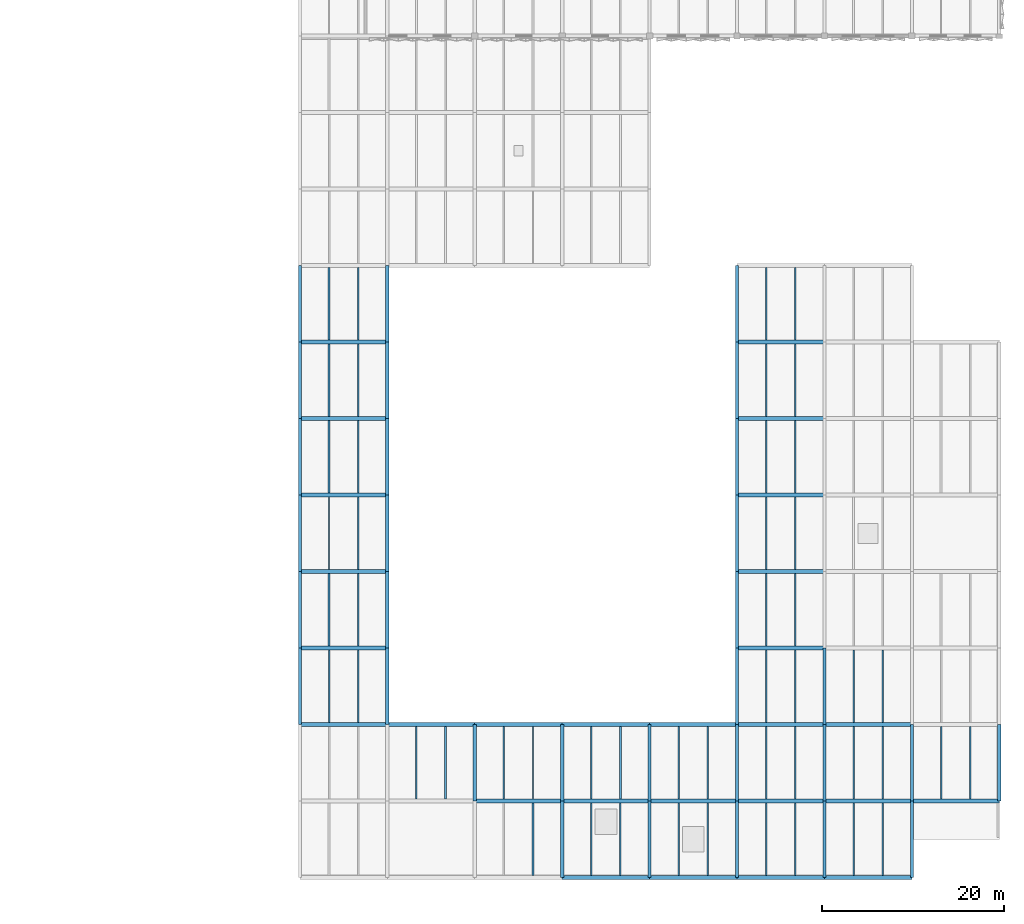
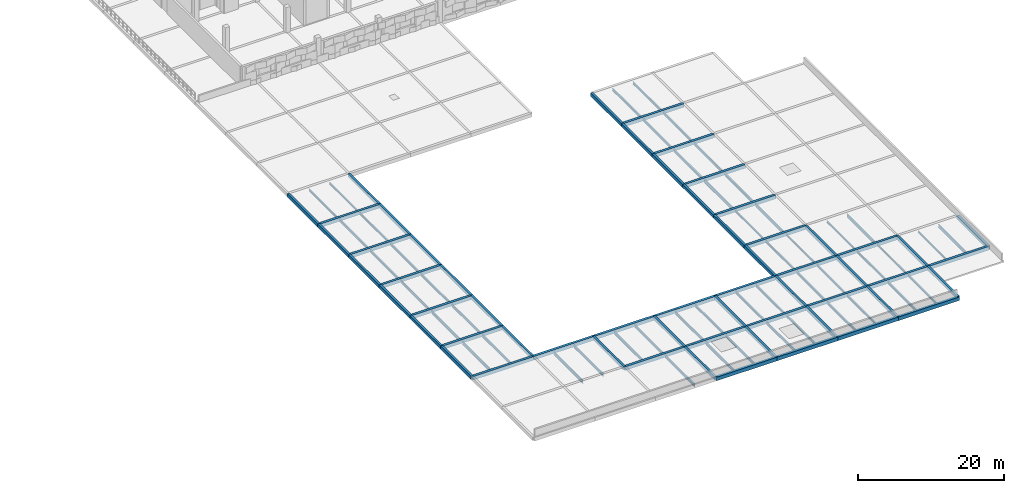
# One storey, part 4 of 24: 107 beams.
"""IFC4 building model written with IfcOpenShell, lengths in metres."""

from ifc_helpers import new_model, si_unit, direction, frame, origin, origin_2d, place, context, subcontext, project, spatial, rectangle, i_section, extrude, material, material_profile, profile_set, type_object, element, save


model = new_model("IFC4")

# Units and contexts
model_context = context("Model", 3, precision=1e-05, world=origin(), true_north=direction((0.0, 1.0)))
body_context = subcontext(model_context, "Body", "Model", "MODEL_VIEW")
ifc_project = project(units=[si_unit("LENGTHUNIT", "METRE"), si_unit("AREAUNIT", "SQUARE_METRE"), si_unit("VOLUMEUNIT", "CUBIC_METRE"), si_unit("PLANEANGLEUNIT", "RADIAN"), si_unit("MASSUNIT", "GRAM", prefix="KILO")], contexts=[model_context])

# Site, building, storey
site_placement = place(None, origin())
site = spatial("IfcSite", under=ifc_project, at=site_placement, CompositionType="ELEMENT")
building_placement = place(site_placement, origin())
building = spatial("IfcBuilding", under=site, at=building_placement, Name="Oolite Switchyard Hospital", CompositionType="ELEMENT")
storey_placement = place(building_placement, frame((0.0, 0.0, 22.0)))
storey = spatial("IfcBuildingStorey", under=building, at=storey_placement, Name="L05", CompositionType="ELEMENT", Elevation=22.0)

# Beams
ifc_material_1 = material(Name="Concrete C40/50", Category="concrete")
ifc_material_profile_1 = material_profile(ifc_material_1, rectangle(XDim=0.35009765625, YDim=0.550048828125, at=origin_2d()), Name="RCB350X550")
ifc_profile_set_1 = profile_set([ifc_material_profile_1], Name="Concrete C40/50")
beam_type_1 = type_object("IfcBeamType", Name="BM-RC350X550", PredefinedType="BEAM", material=ifc_profile_set_1)
beam_1_placement = place(storey_placement, frame((134.39990234375, 25.199951171875, -0.27490234375), z_axis=(0.0, 1.0, 0.0), x_axis=(-1.0, 0.0, 0.0)))
element("IfcBeam", 1, at=beam_1_placement, inside=storey, type_object=beam_type_1, Name="L05 Y-Girder 3470", PredefinedType="BEAM", context=body_context, shape_type="SweptSolid", body=[
    extrude(rectangle(XDim=0.35009765625, YDim=0.550048828125, at=origin_2d()), origin(), (0.0, 0.0, 1.0), 8.400146484375),
])
for number, where, z_axis, x_axis, name in (
    (2, (134.39990234375, 33.60009765625, -0.27490234375), (0.0, 1.0, 0.0), (-1.0, 0.0, 0.0), "L05 Y-Girder 3471"),
    (3, (134.39990234375, 42.0, -0.27490234375), (0.0, 1.0, 0.0), (-1.0, 0.0, 0.0), "L05 Y-Girder 3472"),
):
    element("IfcBeam", number, at=place(storey_placement, frame(where, z_axis=z_axis, x_axis=x_axis)), inside=storey, type_object=beam_type_1, Name=name, PredefinedType="BEAM", context=body_context, shape_type="SweptSolid", body=[
        extrude(rectangle(XDim=0.35009765625, YDim=0.550048828125, at=origin_2d()), origin(), (0.0, 0.0, 1.0), 8.39990234375),
    ])
beam_2_placement = place(storey_placement, frame((134.39990234375, 50.39990234375, -0.27490234375), z_axis=(0.0, 1.0, 0.0), x_axis=(-1.0, 0.0, 0.0)))
element("IfcBeam", 4, at=beam_2_placement, inside=storey, type_object=beam_type_1, Name="L05 Y-Girder 3473", PredefinedType="BEAM", context=body_context, shape_type="SweptSolid", body=[
    extrude(rectangle(XDim=0.35009765625, YDim=0.550048828125, at=origin_2d()), origin(), (0.0, 0.0, 1.0), 8.400146484375),
])
beam_3_placement = place(storey_placement, frame((134.39990234375, 58.800048828125, -0.27490234375), z_axis=(0.0, 1.0, 0.0), x_axis=(-1.0, 0.0, 0.0)))
element("IfcBeam", 5, at=beam_3_placement, inside=storey, type_object=beam_type_1, Name="L05 Y-Girder 3474", PredefinedType="BEAM", context=body_context, shape_type="SweptSolid", body=[
    extrude(rectangle(XDim=0.35009765625, YDim=0.550048828125, at=origin_2d()), origin(), (0.0, 0.0, 1.0), 8.39990234375),
])
for number, where, z_axis, x_axis, name in (
    (6, (134.39990234375, 67.199951171875, -0.27490234375), (0.0, 1.0, 0.0), (-1.0, 0.0, 0.0), "L05 Y-Girder 3475"),
    (7, (144.0, 25.199951171875, -0.27490234375), (0.0, 1.0, 0.0), (-1.0, 0.0, 0.0), "L05 Y-Girder 3485"),
):
    element("IfcBeam", number, at=place(storey_placement, frame(where, z_axis=z_axis, x_axis=x_axis)), inside=storey, type_object=beam_type_1, Name=name, PredefinedType="BEAM", context=body_context, shape_type="SweptSolid", body=[
        extrude(rectangle(XDim=0.35009765625, YDim=0.550048828125, at=origin_2d()), origin(), (0.0, 0.0, 1.0), 8.400146484375),
    ])
for number, where, z_axis, x_axis, name in (
    (8, (144.0, 33.60009765625, -0.27490234375), (0.0, 1.0, 0.0), (-1.0, 0.0, 0.0), "L05 Y-Girder 3486"),
    (9, (144.0, 42.0, -0.27490234375), (0.0, 1.0, 0.0), (-1.0, 0.0, 0.0), "L05 Y-Girder 3487"),
):
    element("IfcBeam", number, at=place(storey_placement, frame(where, z_axis=z_axis, x_axis=x_axis)), inside=storey, type_object=beam_type_1, Name=name, PredefinedType="BEAM", context=body_context, shape_type="SweptSolid", body=[
        extrude(rectangle(XDim=0.35009765625, YDim=0.550048828125, at=origin_2d()), origin(), (0.0, 0.0, 1.0), 8.39990234375),
    ])
beam_4_placement = place(storey_placement, frame((144.0, 50.39990234375, -0.27490234375), z_axis=(0.0, 1.0, 0.0), x_axis=(-1.0, 0.0, 0.0)))
element("IfcBeam", 10, at=beam_4_placement, inside=storey, type_object=beam_type_1, Name="L05 Y-Girder 3488", PredefinedType="BEAM", context=body_context, shape_type="SweptSolid", body=[
    extrude(rectangle(XDim=0.35009765625, YDim=0.550048828125, at=origin_2d()), origin(), (0.0, 0.0, 1.0), 8.400146484375),
])
beam_5_placement = place(storey_placement, frame((144.0, 58.800048828125, -0.27490234375), z_axis=(0.0, 1.0, 0.0), x_axis=(-1.0, 0.0, 0.0)))
element("IfcBeam", 11, at=beam_5_placement, inside=storey, type_object=beam_type_1, Name="L05 Y-Girder 3489", PredefinedType="BEAM", context=body_context, shape_type="SweptSolid", body=[
    extrude(rectangle(XDim=0.35009765625, YDim=0.550048828125, at=origin_2d()), origin(), (0.0, 0.0, 1.0), 8.39990234375),
])
beam_6_placement = place(storey_placement, frame((144.0, 67.199951171875, -0.27490234375), z_axis=(0.0, 1.0, 0.0), x_axis=(-1.0, 0.0, 0.0)))
element("IfcBeam", 12, at=beam_6_placement, inside=storey, type_object=beam_type_1, Name="L05 Y-Girder 3490", PredefinedType="BEAM", context=body_context, shape_type="SweptSolid", body=[
    extrude(rectangle(XDim=0.35009765625, YDim=0.550048828125, at=origin_2d()), origin(), (0.0, 0.0, 1.0), 8.400146484375),
])
beam_7_placement = place(storey_placement, frame((153.60009765625, 16.800048828125, -0.27490234375), z_axis=(0.0, 1.0, 0.0), x_axis=(-1.0, 0.0, 0.0)))
element("IfcBeam", 13, at=beam_7_placement, inside=storey, type_object=beam_type_1, Name="L05 Y-Girder 3499", PredefinedType="BEAM", context=body_context, shape_type="SweptSolid", body=[
    extrude(rectangle(XDim=0.35009765625, YDim=0.550048828125, at=origin_2d()), origin(), (0.0, 0.0, 1.0), 8.39990234375),
])
beam_8_placement = place(storey_placement, frame((163.199951171875, 8.39990234375, -0.27490234375), z_axis=(0.0, 1.0, 0.0), x_axis=(-1.0, 0.0, 0.0)))
element("IfcBeam", 14, at=beam_8_placement, inside=storey, type_object=beam_type_1, Name="L05 Y-Girder 3507", PredefinedType="BEAM", context=body_context, shape_type="SweptSolid", body=[
    extrude(rectangle(XDim=0.35009765625, YDim=0.550048828125, at=origin_2d()), origin(), (0.0, 0.0, 1.0), 8.400146484375),
])
beam_9_placement = place(storey_placement, frame((163.199951171875, 16.800048828125, -0.27490234375), z_axis=(0.0, 1.0, 0.0), x_axis=(-1.0, 0.0, 0.0)))
element("IfcBeam", 15, at=beam_9_placement, inside=storey, type_object=beam_type_1, Name="L05 Y-Girder 3508", PredefinedType="BEAM", context=body_context, shape_type="SweptSolid", body=[
    extrude(rectangle(XDim=0.35009765625, YDim=0.550048828125, at=origin_2d()), origin(), (0.0, 0.0, 1.0), 8.39990234375),
])
beam_10_placement = place(storey_placement, frame((172.800048828125, 8.39990234375, -0.27490234375), z_axis=(0.0, 1.0, 0.0), x_axis=(-1.0, 0.0, 0.0)))
element("IfcBeam", 16, at=beam_10_placement, inside=storey, type_object=beam_type_1, Name="L05 Y-Girder 3516", PredefinedType="BEAM", context=body_context, shape_type="SweptSolid", body=[
    extrude(rectangle(XDim=0.35009765625, YDim=0.550048828125, at=origin_2d()), origin(), (0.0, 0.0, 1.0), 8.400146484375),
])
beam_11_placement = place(storey_placement, frame((172.800048828125, 16.800048828125, -0.27490234375), z_axis=(0.0, 1.0, 0.0), x_axis=(-1.0, 0.0, 0.0)))
element("IfcBeam", 17, at=beam_11_placement, inside=storey, type_object=beam_type_1, Name="L05 Y-Girder 3517", PredefinedType="BEAM", context=body_context, shape_type="SweptSolid", body=[
    extrude(rectangle(XDim=0.35009765625, YDim=0.550048828125, at=origin_2d()), origin(), (0.0, 0.0, 1.0), 8.39990234375),
])
beam_12_placement = place(storey_placement, frame((182.39990234375, 8.39990234375, -0.27490234375), z_axis=(0.0, 1.0, 0.0), x_axis=(-1.0, 0.0, 0.0)))
element("IfcBeam", 18, at=beam_12_placement, inside=storey, type_object=beam_type_1, Name="L05 Y-Girder 3525", PredefinedType="BEAM", context=body_context, shape_type="SweptSolid", body=[
    extrude(rectangle(XDim=0.35009765625, YDim=0.550048828125, at=origin_2d()), origin(), (0.0, 0.0, 1.0), 8.400146484375),
])
beam_13_placement = place(storey_placement, frame((182.39990234375, 16.800048828125, -0.27490234375), z_axis=(0.0, 1.0, 0.0), x_axis=(-1.0, 0.0, 0.0)))
element("IfcBeam", 19, at=beam_13_placement, inside=storey, type_object=beam_type_1, Name="L05 Y-Girder 3526", PredefinedType="BEAM", context=body_context, shape_type="SweptSolid", body=[
    extrude(rectangle(XDim=0.35009765625, YDim=0.550048828125, at=origin_2d()), origin(), (0.0, 0.0, 1.0), 8.39990234375),
])
beam_14_placement = place(storey_placement, frame((182.39990234375, 25.199951171875, -0.27490234375), z_axis=(0.0, 1.0, 0.0), x_axis=(-1.0, 0.0, 0.0)))
element("IfcBeam", 20, at=beam_14_placement, inside=storey, type_object=beam_type_1, Name="L05 Y-Girder 3527", PredefinedType="BEAM", context=body_context, shape_type="SweptSolid", body=[
    extrude(rectangle(XDim=0.35009765625, YDim=0.550048828125, at=origin_2d()), origin(), (0.0, 0.0, 1.0), 8.400146484375),
])
for number, where, z_axis, x_axis, name in (
    (21, (182.39990234375, 33.60009765625, -0.27490234375), (0.0, 1.0, 0.0), (-1.0, 0.0, 0.0), "L05 Y-Girder 3528"),
    (22, (182.39990234375, 42.0, -0.27490234375), (0.0, 1.0, 0.0), (-1.0, 0.0, 0.0), "L05 Y-Girder 3529"),
):
    element("IfcBeam", number, at=place(storey_placement, frame(where, z_axis=z_axis, x_axis=x_axis)), inside=storey, type_object=beam_type_1, Name=name, PredefinedType="BEAM", context=body_context, shape_type="SweptSolid", body=[
        extrude(rectangle(XDim=0.35009765625, YDim=0.550048828125, at=origin_2d()), origin(), (0.0, 0.0, 1.0), 8.39990234375),
    ])
beam_15_placement = place(storey_placement, frame((182.39990234375, 50.39990234375, -0.27490234375), z_axis=(0.0, 1.0, 0.0), x_axis=(-1.0, 0.0, 0.0)))
element("IfcBeam", 23, at=beam_15_placement, inside=storey, type_object=beam_type_1, Name="L05 Y-Girder 3530", PredefinedType="BEAM", context=body_context, shape_type="SweptSolid", body=[
    extrude(rectangle(XDim=0.35009765625, YDim=0.550048828125, at=origin_2d()), origin(), (0.0, 0.0, 1.0), 8.400146484375),
])
beam_16_placement = place(storey_placement, frame((182.39990234375, 58.800048828125, -0.27490234375), z_axis=(0.0, 1.0, 0.0), x_axis=(-1.0, 0.0, 0.0)))
element("IfcBeam", 24, at=beam_16_placement, inside=storey, type_object=beam_type_1, Name="L05 Y-Girder 3531", PredefinedType="BEAM", context=body_context, shape_type="SweptSolid", body=[
    extrude(rectangle(XDim=0.35009765625, YDim=0.550048828125, at=origin_2d()), origin(), (0.0, 0.0, 1.0), 8.39990234375),
])
for number, where, z_axis, x_axis, name in (
    (25, (182.39990234375, 67.199951171875, -0.27490234375), (0.0, 1.0, 0.0), (-1.0, 0.0, 0.0), "L05 Y-Girder 3532"),
    (26, (192.0, 8.39990234375, -0.27490234375), (0.0, 1.0, 0.0), (-1.0, 0.0, 0.0), "L05 Y-Girder 3537"),
):
    element("IfcBeam", number, at=place(storey_placement, frame(where, z_axis=z_axis, x_axis=x_axis)), inside=storey, type_object=beam_type_1, Name=name, PredefinedType="BEAM", context=body_context, shape_type="SweptSolid", body=[
        extrude(rectangle(XDim=0.35009765625, YDim=0.550048828125, at=origin_2d()), origin(), (0.0, 0.0, 1.0), 8.400146484375),
    ])
beam_17_placement = place(storey_placement, frame((192.0, 16.800048828125, -0.27490234375), z_axis=(0.0, 1.0, 0.0), x_axis=(-1.0, 0.0, 0.0)))
element("IfcBeam", 27, at=beam_17_placement, inside=storey, type_object=beam_type_1, Name="L05 Y-Girder 3538", PredefinedType="BEAM", context=body_context, shape_type="SweptSolid", body=[
    extrude(rectangle(XDim=0.35009765625, YDim=0.550048828125, at=origin_2d()), origin(), (0.0, 0.0, 1.0), 8.39990234375),
])
for number, where, z_axis, x_axis, name in (
    (28, (192.0, 25.199951171875, -0.27490234375), (0.0, 1.0, 0.0), (-1.0, 0.0, 0.0), "L05 Y-Girder 3539"),
    (29, (201.60009765625, 8.39990234375, -0.27490234375), (0.0, 1.0, 0.0), (-1.0, 0.0, 0.0), "L05 Y-Girder 3549"),
):
    element("IfcBeam", number, at=place(storey_placement, frame(where, z_axis=z_axis, x_axis=x_axis)), inside=storey, type_object=beam_type_1, Name=name, PredefinedType="BEAM", context=body_context, shape_type="SweptSolid", body=[
        extrude(rectangle(XDim=0.35009765625, YDim=0.550048828125, at=origin_2d()), origin(), (0.0, 0.0, 1.0), 8.400146484375),
    ])
beam_18_placement = place(storey_placement, frame((201.60009765625, 16.800048828125, -0.27490234375), z_axis=(0.0, 1.0, 0.0), x_axis=(-1.0, 0.0, 0.0)))
element("IfcBeam", 30, at=beam_18_placement, inside=storey, type_object=beam_type_1, Name="L05 Y-Girder 3550", PredefinedType="BEAM", context=body_context, shape_type="SweptSolid", body=[
    extrude(rectangle(XDim=0.35009765625, YDim=0.550048828125, at=origin_2d()), origin(), (0.0, 0.0, 1.0), 8.39990234375),
])
ifc_material_profile_2 = material_profile(ifc_material_1, rectangle(XDim=0.39990234375, YDim=0.60009765625, at=origin_2d()), Name="RCB400X600")
ifc_profile_set_2 = profile_set([ifc_material_profile_2], Name="Concrete C40/50")
beam_type_2 = type_object("IfcBeamType", Name="BM-RC400X600", PredefinedType="BEAM", material=ifc_profile_set_2)
beam_19_placement = place(storey_placement, frame((163.199951171875, 8.39990234375, -0.300048828125), z_axis=(1.0, 0.0, 0.0), x_axis=(0.0, 1.0, 0.0)))
element("IfcBeam", 31, at=beam_19_placement, inside=storey, type_object=beam_type_2, Name="L05 X-Girder 3334", PredefinedType="BEAM", context=body_context, shape_type="SweptSolid", body=[
    extrude(rectangle(XDim=0.39990234375, YDim=0.60009765625, at=origin_2d()), origin(), (0.0, 0.0, 1.0), 9.60009765625),
])
beam_20_placement = place(storey_placement, frame((172.800048828125, 8.39990234375, -0.300048828125), z_axis=(1.0, 0.0, 0.0), x_axis=(0.0, 1.0, 0.0)))
element("IfcBeam", 32, at=beam_20_placement, inside=storey, type_object=beam_type_2, Name="L05 X-Girder 3335", PredefinedType="BEAM", context=body_context, shape_type="SweptSolid", body=[
    extrude(rectangle(XDim=0.39990234375, YDim=0.60009765625, at=origin_2d()), origin(), (0.0, 0.0, 1.0), 9.599853515625),
])
for number, where, z_axis, x_axis, name in (
    (33, (182.39990234375, 8.39990234375, -0.300048828125), (1.0, 0.0, 0.0), (0.0, 1.0, 0.0), "L05 X-Girder 3336"),
    (34, (192.0, 8.39990234375, -0.300048828125), (1.0, 0.0, 0.0), (0.0, 1.0, 0.0), "L05 X-Girder 3337"),
):
    element("IfcBeam", number, at=place(storey_placement, frame(where, z_axis=z_axis, x_axis=x_axis)), inside=storey, type_object=beam_type_2, Name=name, PredefinedType="BEAM", context=body_context, shape_type="SweptSolid", body=[
        extrude(rectangle(XDim=0.39990234375, YDim=0.60009765625, at=origin_2d()), origin(), (0.0, 0.0, 1.0), 9.60009765625),
    ])
beam_21_placement = place(storey_placement, frame((153.60009765625, 16.800048828125, -0.300048828125), z_axis=(1.0, 0.0, 0.0), x_axis=(0.0, 1.0, 0.0)))
element("IfcBeam", 35, at=beam_21_placement, inside=storey, type_object=beam_type_2, Name="L05 X-Girder 3340", PredefinedType="BEAM", context=body_context, shape_type="SweptSolid", body=[
    extrude(rectangle(XDim=0.39990234375, YDim=0.60009765625, at=origin_2d()), origin(), (0.0, 0.0, 1.0), 9.599853515625),
])
beam_22_placement = place(storey_placement, frame((163.199951171875, 16.800048828125, -0.300048828125), z_axis=(1.0, 0.0, 0.0), x_axis=(0.0, 1.0, 0.0)))
element("IfcBeam", 36, at=beam_22_placement, inside=storey, type_object=beam_type_2, Name="L05 X-Girder 3341", PredefinedType="BEAM", context=body_context, shape_type="SweptSolid", body=[
    extrude(rectangle(XDim=0.39990234375, YDim=0.60009765625, at=origin_2d()), origin(), (0.0, 0.0, 1.0), 9.60009765625),
])
beam_23_placement = place(storey_placement, frame((172.800048828125, 16.800048828125, -0.300048828125), z_axis=(1.0, 0.0, 0.0), x_axis=(0.0, 1.0, 0.0)))
element("IfcBeam", 37, at=beam_23_placement, inside=storey, type_object=beam_type_2, Name="L05 X-Girder 3342", PredefinedType="BEAM", context=body_context, shape_type="SweptSolid", body=[
    extrude(rectangle(XDim=0.39990234375, YDim=0.60009765625, at=origin_2d()), origin(), (0.0, 0.0, 1.0), 9.599853515625),
])
for number, where, z_axis, x_axis, name in (
    (38, (182.39990234375, 16.800048828125, -0.300048828125), (1.0, 0.0, 0.0), (0.0, 1.0, 0.0), "L05 X-Girder 3343"),
    (39, (192.0, 16.800048828125, -0.300048828125), (1.0, 0.0, 0.0), (0.0, 1.0, 0.0), "L05 X-Girder 3344"),
):
    element("IfcBeam", number, at=place(storey_placement, frame(where, z_axis=z_axis, x_axis=x_axis)), inside=storey, type_object=beam_type_2, Name=name, PredefinedType="BEAM", context=body_context, shape_type="SweptSolid", body=[
        extrude(rectangle(XDim=0.39990234375, YDim=0.60009765625, at=origin_2d()), origin(), (0.0, 0.0, 1.0), 9.60009765625),
    ])
beam_24_placement = place(storey_placement, frame((201.60009765625, 16.800048828125, -0.300048828125), z_axis=(1.0, 0.0, 0.0), x_axis=(0.0, 1.0, 0.0)))
element("IfcBeam", 40, at=beam_24_placement, inside=storey, type_object=beam_type_2, Name="L05 X-Girder 3345", PredefinedType="BEAM", context=body_context, shape_type="SweptSolid", body=[
    extrude(rectangle(XDim=0.39990234375, YDim=0.60009765625, at=origin_2d()), origin(), (0.0, 0.0, 1.0), 9.599853515625),
])
for number, where, z_axis, x_axis, name in (
    (41, (134.39990234375, 25.199951171875, -0.300048828125), (1.0, 0.0, 0.0), (0.0, 1.0, 0.0), "L05 X-Girder 3346"),
    (42, (144.0, 25.199951171875, -0.300048828125), (1.0, 0.0, 0.0), (0.0, 1.0, 0.0), "L05 X-Girder 3347"),
):
    element("IfcBeam", number, at=place(storey_placement, frame(where, z_axis=z_axis, x_axis=x_axis)), inside=storey, type_object=beam_type_2, Name=name, PredefinedType="BEAM", context=body_context, shape_type="SweptSolid", body=[
        extrude(rectangle(XDim=0.39990234375, YDim=0.60009765625, at=origin_2d()), origin(), (0.0, 0.0, 1.0), 9.60009765625),
    ])
beam_25_placement = place(storey_placement, frame((153.60009765625, 25.199951171875, -0.300048828125), z_axis=(1.0, 0.0, 0.0), x_axis=(0.0, 1.0, 0.0)))
element("IfcBeam", 43, at=beam_25_placement, inside=storey, type_object=beam_type_2, Name="L05 X-Girder 3348", PredefinedType="BEAM", context=body_context, shape_type="SweptSolid", body=[
    extrude(rectangle(XDim=0.39990234375, YDim=0.60009765625, at=origin_2d()), origin(), (0.0, 0.0, 1.0), 9.599853515625),
])
beam_26_placement = place(storey_placement, frame((163.199951171875, 25.199951171875, -0.300048828125), z_axis=(1.0, 0.0, 0.0), x_axis=(0.0, 1.0, 0.0)))
element("IfcBeam", 44, at=beam_26_placement, inside=storey, type_object=beam_type_2, Name="L05 X-Girder 3349", PredefinedType="BEAM", context=body_context, shape_type="SweptSolid", body=[
    extrude(rectangle(XDim=0.39990234375, YDim=0.60009765625, at=origin_2d()), origin(), (0.0, 0.0, 1.0), 9.60009765625),
])
beam_27_placement = place(storey_placement, frame((172.800048828125, 25.199951171875, -0.300048828125), z_axis=(1.0, 0.0, 0.0), x_axis=(0.0, 1.0, 0.0)))
element("IfcBeam", 45, at=beam_27_placement, inside=storey, type_object=beam_type_2, Name="L05 X-Girder 3350", PredefinedType="BEAM", context=body_context, shape_type="SweptSolid", body=[
    extrude(rectangle(XDim=0.39990234375, YDim=0.60009765625, at=origin_2d()), origin(), (0.0, 0.0, 1.0), 9.599853515625),
])
for number, where, z_axis, x_axis, name in (
    (46, (182.39990234375, 25.199951171875, -0.300048828125), (1.0, 0.0, 0.0), (0.0, 1.0, 0.0), "L05 X-Girder 3351"),
    (47, (192.0, 25.199951171875, -0.300048828125), (1.0, 0.0, 0.0), (0.0, 1.0, 0.0), "L05 X-Girder 3352"),
    (48, (134.39990234375, 33.60009765625, -0.300048828125), (1.0, 0.0, 0.0), (0.0, 1.0, 0.0), "L05 X-Girder 3356"),
    (49, (182.39990234375, 33.60009765625, -0.300048828125), (1.0, 0.0, 0.0), (0.0, 1.0, 0.0), "L05 X-Girder 3357"),
    (50, (134.39990234375, 42.0, -0.300048828125), (1.0, 0.0, 0.0), (0.0, 1.0, 0.0), "L05 X-Girder 3363"),
    (51, (182.39990234375, 42.0, -0.300048828125), (1.0, 0.0, 0.0), (0.0, 1.0, 0.0), "L05 X-Girder 3364"),
    (52, (134.39990234375, 50.39990234375, -0.300048828125), (1.0, 0.0, 0.0), (0.0, 1.0, 0.0), "L05 X-Girder 3370"),
    (53, (182.39990234375, 50.39990234375, -0.300048828125), (1.0, 0.0, 0.0), (0.0, 1.0, 0.0), "L05 X-Girder 3371"),
    (54, (134.39990234375, 58.800048828125, -0.300048828125), (1.0, 0.0, 0.0), (0.0, 1.0, 0.0), "L05 X-Girder 3377"),
    (55, (182.39990234375, 58.800048828125, -0.300048828125), (1.0, 0.0, 0.0), (0.0, 1.0, 0.0), "L05 X-Girder 3378"),
    (56, (134.39990234375, 67.199951171875, -0.300048828125), (1.0, 0.0, 0.0), (0.0, 1.0, 0.0), "L05 X-Girder 3384"),
    (57, (182.39990234375, 67.199951171875, -0.300048828125), (1.0, 0.0, 0.0), (0.0, 1.0, 0.0), "L05 X-Girder 3385"),
):
    element("IfcBeam", number, at=place(storey_placement, frame(where, z_axis=z_axis, x_axis=x_axis)), inside=storey, type_object=beam_type_2, Name=name, PredefinedType="BEAM", context=body_context, shape_type="SweptSolid", body=[
        extrude(rectangle(XDim=0.39990234375, YDim=0.60009765625, at=origin_2d()), origin(), (0.0, 0.0, 1.0), 9.60009765625),
    ])
beam_28_placement = place(storey_placement, frame((211.199951171875, 16.800048828125, -0.300048828125), z_axis=(0.0, 1.0, 0.0), x_axis=(-1.0, 0.0, 0.0)))
element("IfcBeam", 58, at=beam_28_placement, inside=storey, type_object=beam_type_2, Name="L05 Y-Girder 3561", PredefinedType="BEAM", context=body_context, shape_type="SweptSolid", body=[
    extrude(rectangle(XDim=0.39990234375, YDim=0.60009765625, at=origin_2d()), origin(), (0.0, 0.0, 1.0), 8.39990234375),
])
ifc_material_2 = material(Name="Steel ASTM A992 Grade 50", Category="steel")
ifc_material_profile_3 = material_profile(ifc_material_2, i_section(OverallWidth=0.1650390625, OverallDepth=0.31005859375, WebThickness=0.006103515625, FlangeThickness=0.010009765625, at=origin_2d()), Name="W12X26")
ifc_profile_set_3 = profile_set([ifc_material_profile_3], Name="Steel ASTM A992 Grade 50")
beam_type_3 = type_object("IfcBeamType", Name="BM-W12X26", PredefinedType="JOIST", material=ifc_profile_set_3)
for number, where, z_axis, x_axis, name in (
    (59, (140.800048828125, 67.39990234375, -0.389892578125), (0.0, 1.0, 0.0), (-1.0, 0.0, 0.0), "L05 Secondary Steel Joist 3612"),
    (60, (188.800048828125, 25.39990234375, -0.389892578125), (0.0, 1.0, 0.0), (-1.0, 0.0, 0.0), "L05 Secondary Steel Joist 3690"),
    (61, (185.60009765625, 33.800048828125, -0.389892578125), (0.0, 1.0, 0.0), (-1.0, 0.0, 0.0), "L05 Secondary Steel Joist 3691"),
    (62, (198.39990234375, 17.0, -0.389892578125), (0.0, 1.0, 0.0), (-1.0, 0.0, 0.0), "L05 Secondary Steel Joist 3710"),
    (63, (195.199951171875, 25.39990234375, -0.389892578125), (0.0, 1.0, 0.0), (-1.0, 0.0, 0.0), "L05 Secondary Steel Joist 3711"),
    (64, (204.800048828125, 17.0, -0.389892578125), (0.0, 1.0, 0.0), (-1.0, 0.0, 0.0), "L05 Secondary Steel Joist 3729"),
):
    element("IfcBeam", number, at=place(storey_placement, frame(where, z_axis=z_axis, x_axis=x_axis)), inside=storey, type_object=beam_type_3, Name=name, PredefinedType="JOIST", context=body_context, shape_type="SweptSolid", body=[
        extrude(i_section(OverallWidth=0.1650390625, OverallDepth=0.31005859375, WebThickness=0.006103515625, FlangeThickness=0.010009765625, at=origin_2d()), origin(), (0.0, 0.0, 1.0), 8.0),
    ])
ifc_material_profile_4 = material_profile(ifc_material_2, i_section(OverallWidth=0.1708984375, OverallDepth=0.35107421875, WebThickness=0.007080078125, FlangeThickness=0.010009765625, at=origin_2d()), Name="W14X30")
ifc_profile_set_4 = profile_set([ifc_material_profile_4], Name="Steel ASTM A992 Grade 50")
beam_type_4 = type_object("IfcBeamType", Name="BM-W14X30", PredefinedType="JOIST", material=ifc_profile_set_4)
for number, where, z_axis, x_axis, name in (
    (65, (140.800048828125, 59.0, -0.409912109375), (0.0, 1.0, 0.0), (-1.0, 0.0, 0.0), "L05 Secondary Steel Joist 3610"),
    (66, (137.60009765625, 67.39990234375, -0.409912109375), (0.0, 1.0, 0.0), (-1.0, 0.0, 0.0), "L05 Secondary Steel Joist 3611"),
    (67, (188.800048828125, 17.0, -0.409912109375), (0.0, 1.0, 0.0), (-1.0, 0.0, 0.0), "L05 Secondary Steel Joist 3688"),
    (68, (185.60009765625, 25.39990234375, -0.409912109375), (0.0, 1.0, 0.0), (-1.0, 0.0, 0.0), "L05 Secondary Steel Joist 3689"),
    (69, (198.39990234375, 8.60009765625, -0.409912109375), (0.0, 1.0, 0.0), (-1.0, 0.0, 0.0), "L05 Secondary Steel Joist 3708"),
    (70, (195.199951171875, 17.0, -0.409912109375), (0.0, 1.0, 0.0), (-1.0, 0.0, 0.0), "L05 Secondary Steel Joist 3709"),
):
    element("IfcBeam", number, at=place(storey_placement, frame(where, z_axis=z_axis, x_axis=x_axis)), inside=storey, type_object=beam_type_4, Name=name, PredefinedType="JOIST", context=body_context, shape_type="SweptSolid", body=[
        extrude(i_section(OverallWidth=0.1708984375, OverallDepth=0.35107421875, WebThickness=0.007080078125, FlangeThickness=0.010009765625, at=origin_2d()), origin(), (0.0, 0.0, 1.0), 8.0),
    ])
ifc_material_profile_5 = material_profile(ifc_material_2, i_section(OverallWidth=0.177978515625, OverallDepth=0.403076171875, WebThickness=0.008056640625, FlangeThickness=0.010986328125, at=origin_2d()), Name="W16X36")
ifc_profile_set_5 = profile_set([ifc_material_profile_5], Name="Steel ASTM A992 Grade 50")
beam_type_5 = type_object("IfcBeamType", Name="BM-W16X36", PredefinedType="JOIST", material=ifc_profile_set_5)
for number, where, z_axis, x_axis, name in (
    (71, (140.800048828125, 50.60009765625, -0.43603515625), (0.0, 1.0, 0.0), (-1.0, 0.0, 0.0), "L05 Secondary Steel Joist 3608"),
    (72, (137.60009765625, 59.0, -0.43603515625), (0.0, 1.0, 0.0), (-1.0, 0.0, 0.0), "L05 Secondary Steel Joist 3609"),
    (73, (179.199951171875, 17.0, -0.43603515625), (0.0, 1.0, 0.0), (-1.0, 0.0, 0.0), "L05 Secondary Steel Joist 3678"),
    (74, (188.800048828125, 8.60009765625, -0.43603515625), (0.0, 1.0, 0.0), (-1.0, 0.0, 0.0), "L05 Secondary Steel Joist 3686"),
    (75, (185.60009765625, 17.0, -0.43603515625), (0.0, 1.0, 0.0), (-1.0, 0.0, 0.0), "L05 Secondary Steel Joist 3687"),
    (76, (188.800048828125, 67.39990234375, -0.43603515625), (0.0, 1.0, 0.0), (-1.0, 0.0, 0.0), "L05 Secondary Steel Joist 3700"),
    (77, (195.199951171875, 8.60009765625, -0.43603515625), (0.0, 1.0, 0.0), (-1.0, 0.0, 0.0), "L05 Secondary Steel Joist 3707"),
):
    element("IfcBeam", number, at=place(storey_placement, frame(where, z_axis=z_axis, x_axis=x_axis)), inside=storey, type_object=beam_type_5, Name=name, PredefinedType="JOIST", context=body_context, shape_type="SweptSolid", body=[
        extrude(i_section(OverallWidth=0.177978515625, OverallDepth=0.403076171875, WebThickness=0.008056640625, FlangeThickness=0.010986328125, at=origin_2d()), origin(), (0.0, 0.0, 1.0), 8.0),
    ])
ifc_material_profile_6 = material_profile(ifc_material_2, i_section(OverallWidth=0.179931640625, OverallDepth=0.4130859375, WebThickness=0.010009765625, FlangeThickness=0.01611328125, at=origin_2d()), Name="W16X50")
ifc_profile_set_6 = profile_set([ifc_material_profile_6], Name="Steel ASTM A992 Grade 50")
beam_type_6 = type_object("IfcBeamType", Name="BM-W16X50", PredefinedType="JOIST", material=ifc_profile_set_6)
for number, where, z_axis, x_axis, name in (
    (78, (140.800048828125, 42.199951171875, -0.44091796875), (0.0, 1.0, 0.0), (-1.0, 0.0, 0.0), "L05 Secondary Steel Joist 3606"),
    (79, (137.60009765625, 50.60009765625, -0.44091796875), (0.0, 1.0, 0.0), (-1.0, 0.0, 0.0), "L05 Secondary Steel Joist 3607"),
    (80, (169.60009765625, 17.0, -0.44091796875), (0.0, 1.0, 0.0), (-1.0, 0.0, 0.0), "L05 Secondary Steel Joist 3662"),
    (81, (179.199951171875, 8.60009765625, -0.44091796875), (0.0, 1.0, 0.0), (-1.0, 0.0, 0.0), "L05 Secondary Steel Joist 3676"),
    (82, (176.0, 17.0, -0.44091796875), (0.0, 1.0, 0.0), (-1.0, 0.0, 0.0), "L05 Secondary Steel Joist 3677"),
    (83, (185.60009765625, 8.60009765625, -0.44091796875), (0.0, 1.0, 0.0), (-1.0, 0.0, 0.0), "L05 Secondary Steel Joist 3685"),
    (84, (188.800048828125, 59.0, -0.44091796875), (0.0, 1.0, 0.0), (-1.0, 0.0, 0.0), "L05 Secondary Steel Joist 3698"),
    (85, (185.60009765625, 67.39990234375, -0.44091796875), (0.0, 1.0, 0.0), (-1.0, 0.0, 0.0), "L05 Secondary Steel Joist 3699"),
):
    element("IfcBeam", number, at=place(storey_placement, frame(where, z_axis=z_axis, x_axis=x_axis)), inside=storey, type_object=beam_type_6, Name=name, PredefinedType="JOIST", context=body_context, shape_type="SweptSolid", body=[
        extrude(i_section(OverallWidth=0.179931640625, OverallDepth=0.4130859375, WebThickness=0.010009765625, FlangeThickness=0.01611328125, at=origin_2d()), origin(), (0.0, 0.0, 1.0), 8.0),
    ])
ifc_material_profile_7 = material_profile(ifc_material_2, i_section(OverallWidth=0.153076171875, OverallDepth=0.455078125, WebThickness=0.008056640625, FlangeThickness=0.012939453125, at=origin_2d()), Name="W18X40")
ifc_profile_set_7 = profile_set([ifc_material_profile_7], Name="Steel ASTM A992 Grade 50")
beam_type_7 = type_object("IfcBeamType", Name="BM-W18X40", PredefinedType="JOIST", material=ifc_profile_set_7)
for number, where, z_axis, x_axis, name in (
    (86, (140.800048828125, 33.800048828125, -0.4619140625), (0.0, 1.0, 0.0), (-1.0, 0.0, 0.0), "L05 Secondary Steel Joist 3604"),
    (87, (137.60009765625, 42.199951171875, -0.4619140625), (0.0, 1.0, 0.0), (-1.0, 0.0, 0.0), "L05 Secondary Steel Joist 3605"),
    (88, (160.0, 17.0, -0.4619140625), (0.0, 1.0, 0.0), (-1.0, 0.0, 0.0), "L05 Secondary Steel Joist 3646"),
    (89, (169.60009765625, 8.60009765625, -0.4619140625), (0.0, 1.0, 0.0), (-1.0, 0.0, 0.0), "L05 Secondary Steel Joist 3660"),
    (90, (166.39990234375, 17.0, -0.4619140625), (0.0, 1.0, 0.0), (-1.0, 0.0, 0.0), "L05 Secondary Steel Joist 3661"),
    (91, (176.0, 8.60009765625, -0.4619140625), (0.0, 1.0, 0.0), (-1.0, 0.0, 0.0), "L05 Secondary Steel Joist 3675"),
    (92, (188.800048828125, 50.60009765625, -0.4619140625), (0.0, 1.0, 0.0), (-1.0, 0.0, 0.0), "L05 Secondary Steel Joist 3696"),
    (93, (185.60009765625, 59.0, -0.4619140625), (0.0, 1.0, 0.0), (-1.0, 0.0, 0.0), "L05 Secondary Steel Joist 3697"),
):
    element("IfcBeam", number, at=place(storey_placement, frame(where, z_axis=z_axis, x_axis=x_axis)), inside=storey, type_object=beam_type_7, Name=name, PredefinedType="JOIST", context=body_context, shape_type="SweptSolid", body=[
        extrude(i_section(OverallWidth=0.153076171875, OverallDepth=0.455078125, WebThickness=0.008056640625, FlangeThickness=0.012939453125, at=origin_2d()), origin(), (0.0, 0.0, 1.0), 8.0),
    ])
ifc_material_profile_8 = material_profile(ifc_material_2, i_section(OverallWidth=0.19091796875, OverallDepth=0.4599609375, WebThickness=0.010009765625, FlangeThickness=0.01611328125, at=origin_2d()), Name="W18X55")
ifc_profile_set_8 = profile_set([ifc_material_profile_8], Name="Steel ASTM A992 Grade 50")
beam_type_8 = type_object("IfcBeamType", Name="BM-W18X55", PredefinedType="JOIST", material=ifc_profile_set_8)
for number, where, z_axis, x_axis, name in (
    (94, (140.800048828125, 25.39990234375, -0.465087890625), (0.0, 1.0, 0.0), (-1.0, 0.0, 0.0), "L05 Secondary Steel Joist 3602"),
    (95, (137.60009765625, 33.800048828125, -0.465087890625), (0.0, 1.0, 0.0), (-1.0, 0.0, 0.0), "L05 Secondary Steel Joist 3603"),
    (96, (150.39990234375, 17.0, -0.465087890625), (0.0, 1.0, 0.0), (-1.0, 0.0, 0.0), "L05 Secondary Steel Joist 3628"),
    (97, (160.0, 8.60009765625, -0.465087890625), (0.0, 1.0, 0.0), (-1.0, 0.0, 0.0), "L05 Secondary Steel Joist 3644"),
    (98, (156.800048828125, 17.0, -0.465087890625), (0.0, 1.0, 0.0), (-1.0, 0.0, 0.0), "L05 Secondary Steel Joist 3645"),
    (99, (166.39990234375, 8.60009765625, -0.465087890625), (0.0, 1.0, 0.0), (-1.0, 0.0, 0.0), "L05 Secondary Steel Joist 3659"),
    (100, (188.800048828125, 42.199951171875, -0.465087890625), (0.0, 1.0, 0.0), (-1.0, 0.0, 0.0), "L05 Secondary Steel Joist 3694"),
    (101, (185.60009765625, 50.60009765625, -0.465087890625), (0.0, 1.0, 0.0), (-1.0, 0.0, 0.0), "L05 Secondary Steel Joist 3695"),
):
    element("IfcBeam", number, at=place(storey_placement, frame(where, z_axis=z_axis, x_axis=x_axis)), inside=storey, type_object=beam_type_8, Name=name, PredefinedType="JOIST", context=body_context, shape_type="SweptSolid", body=[
        extrude(i_section(OverallWidth=0.19091796875, OverallDepth=0.4599609375, WebThickness=0.010009765625, FlangeThickness=0.01611328125, at=origin_2d()), origin(), (0.0, 0.0, 1.0), 8.0),
    ])
ifc_material_profile_9 = material_profile(ifc_material_2, i_section(OverallWidth=0.166015625, OverallDepth=0.529052734375, WebThickness=0.010009765625, FlangeThickness=0.013916015625, at=origin_2d()), Name="W21X50")
ifc_profile_set_9 = profile_set([ifc_material_profile_9], Name="Steel ASTM A992 Grade 50")
beam_type_9 = type_object("IfcBeamType", Name="BM-W21X50", PredefinedType="JOIST", material=ifc_profile_set_9)
for number, where, z_axis, x_axis, name in (
    (102, (137.60009765625, 25.39990234375, -0.5), (0.0, 1.0, 0.0), (-1.0, 0.0, 0.0), "L05 Secondary Steel Joist 3601"),
    (103, (147.199951171875, 17.0, -0.5), (0.0, 1.0, 0.0), (-1.0, 0.0, 0.0), "L05 Secondary Steel Joist 3627"),
    (104, (188.800048828125, 33.800048828125, -0.5), (0.0, 1.0, 0.0), (-1.0, 0.0, 0.0), "L05 Secondary Steel Joist 3692"),
    (105, (185.60009765625, 42.199951171875, -0.5), (0.0, 1.0, 0.0), (-1.0, 0.0, 0.0), "L05 Secondary Steel Joist 3693"),
    (106, (198.39990234375, 25.39990234375, -0.5), (0.0, 1.0, 0.0), (-1.0, 0.0, 0.0), "L05 Secondary Steel Joist 3712"),
    (107, (208.0, 17.0, -0.5), (0.0, 1.0, 0.0), (-1.0, 0.0, 0.0), "L05 Secondary Steel Joist 3730"),
):
    element("IfcBeam", number, at=place(storey_placement, frame(where, z_axis=z_axis, x_axis=x_axis)), inside=storey, type_object=beam_type_9, Name=name, PredefinedType="JOIST", context=body_context, shape_type="SweptSolid", body=[
        extrude(i_section(OverallWidth=0.166015625, OverallDepth=0.529052734375, WebThickness=0.010009765625, FlangeThickness=0.013916015625, at=origin_2d()), origin(), (0.0, 0.0, 1.0), 8.0),
    ])

save(model, "model.ifc")
